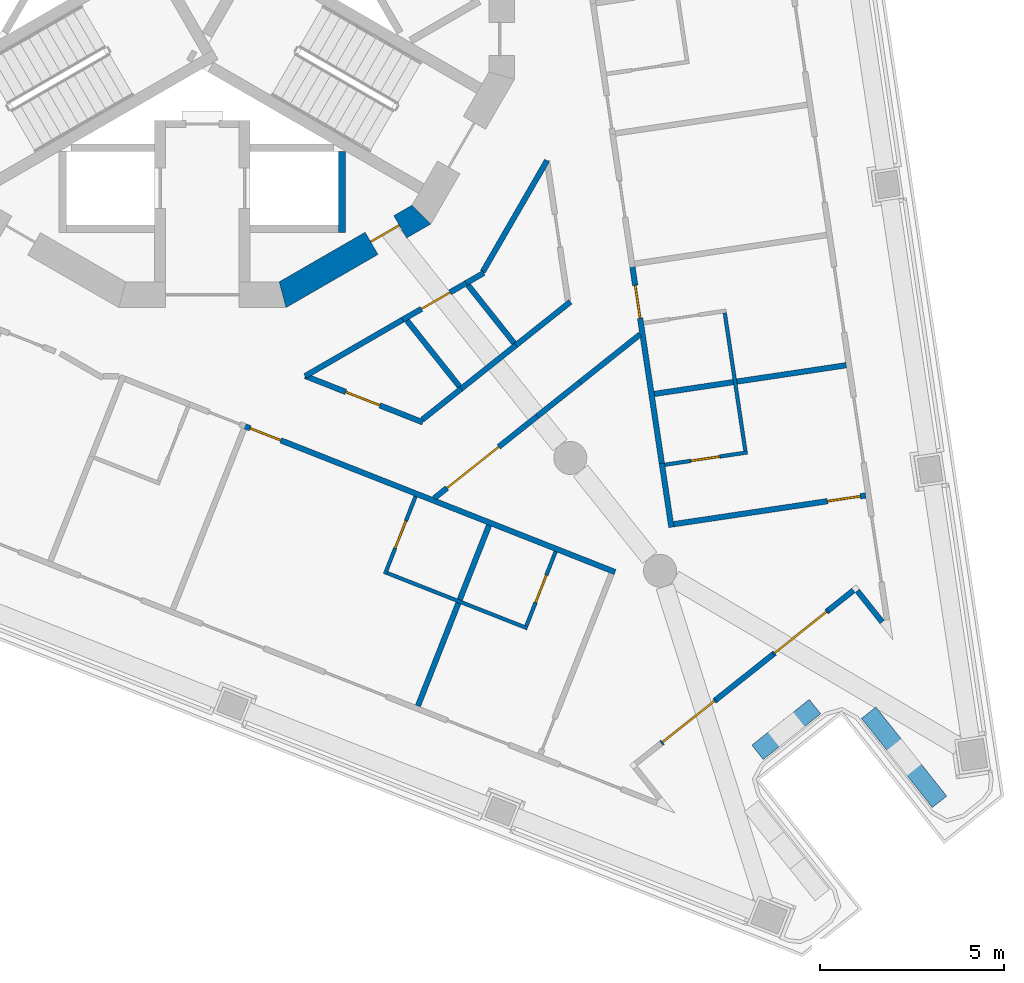
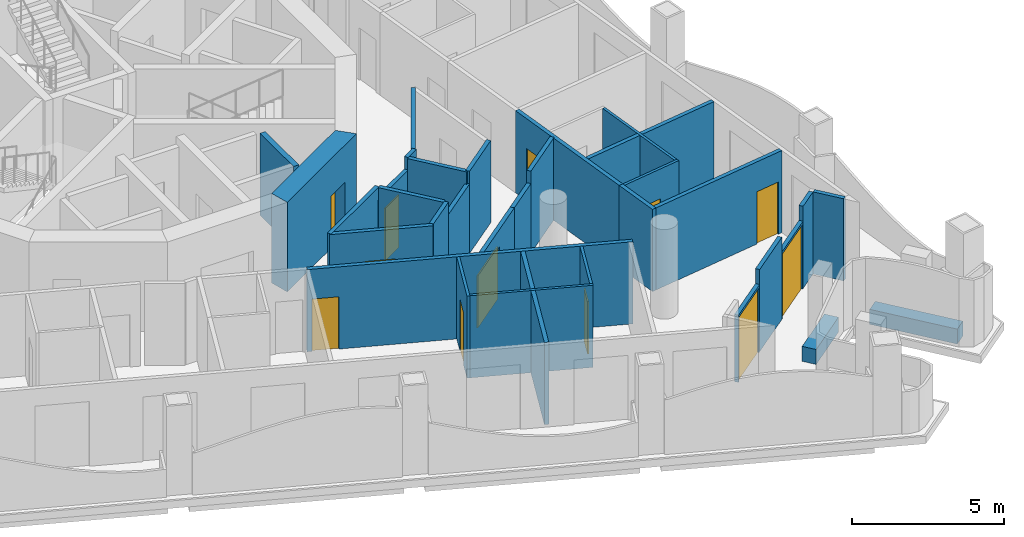
# One storey, part 5 of 17: 34 walls, 12 doors, 12 openings.
"""IFC4 building model written with IfcOpenShell, lengths in metres."""

from ifc_helpers import new_model, si_unit, direction, frame, frame_2d, origin, place, context, subcontext, project, spatial, polyline, rectangle, outline, extrude, material, layer, layer_set, type_object, element, fill, save


model = new_model("IFC4")

# Units and contexts
model_context = context("Model", 3, precision=1e-05, world=origin(), true_north=direction((0.0, 1.0)))
body_context = subcontext(model_context, "Body", "Model", "MODEL_VIEW")
ifc_project = project(units=[si_unit("LENGTHUNIT", "METRE"), si_unit("AREAUNIT", "SQUARE_METRE"), si_unit("VOLUMEUNIT", "CUBIC_METRE"), si_unit("PLANEANGLEUNIT", "RADIAN"), si_unit("MASSUNIT", "GRAM", prefix="KILO")], contexts=[model_context])

# Site, building, storey
site_placement = place(None, origin())
site = spatial("IfcSite", under=ifc_project, at=site_placement, CompositionType="ELEMENT")
building_placement = place(site_placement, origin())
building = spatial("IfcBuilding", under=site, at=building_placement, Name="Trine Commons Tower", CompositionType="ELEMENT")
storey_placement = place(building_placement, frame((0.0, 0.0, 216.0)))
storey = spatial("IfcBuildingStorey", under=building, at=storey_placement, Name="L56", CompositionType="ELEMENT", Elevation=216.0)

# Walls
ifc_material_1 = material(Name="Aluminium-framed insulated wall panel", Category="aluminium")
ifc_layer_1 = layer(ifc_material_1, 0.14990234375)
ifc_layer_set_1 = layer_set([ifc_layer_1], Name="Aluminium-framed insulated wall panel")
wall_type_1 = type_object("IfcWallType", Name="Glazed frame wall 150, EI 60", PredefinedType="SOLIDWALL", material=ifc_layer_set_1)
wall_1_placement = place(storey_placement, frame((98.603759765625, 45.320556640625, 0.0), z_axis=(0.0, 0.0, 1.0), x_axis=(-0.6225008228, 0.782619144676, 0.0)))
element("IfcWall", 1, at=wall_1_placement, inside=storey, type_object=wall_type_1, Name="Glazed frame wall R6", PredefinedType="SOLIDWALL", context=body_context, shape_type="SweptSolid", body=[
    extrude(outline(polyline([(0.1494140625, 0.074951171875), (0.1494140625, -0.074951171875), (1.235107421875, -0.074951171875), (1.235107421875, 0.074951171875), (0.1494140625, 0.074951171875)])), origin(), (0.0, 0.0, 1.0), 3.300048828125),
])
wall_2_placement = place(storey_placement, frame((97.815673828125, 46.367431640625, 0.0), z_axis=(0.0, 0.0, 1.0), x_axis=(-0.78265242488, -0.622458980037, 0.0)))
element("IfcWall", 2, at=wall_2_placement, inside=storey, type_object=wall_type_1, Name="Glazed frame wall P2.1", PredefinedType="SOLIDWALL", context=body_context, shape_type="SweptSolid", body=[
    extrude(outline(polyline([(0.110107421875, -0.074951171875), (1.0, -0.074951171875), (1.0, 0.074951171875), (0.110107421875, 0.074951171875), (0.110107421875, -0.074951171875)])), origin(), (0.0, 0.0, 1.0), 3.300048828125),
])

# Wall, opening, door
wall_3_placement = place(storey_placement, frame((97.033203125, 45.7451171875, 0.0), z_axis=(0.0, 0.0, 1.0), x_axis=(-0.782608167395, -0.622514623384, 0.0)))
wall_3 = element("IfcWall", 3, at=wall_3_placement, inside=storey, type_object=wall_type_1, Name="Glazed frame wall P2.2", PredefinedType="SOLIDWALL", context=body_context, shape_type="SweptSolid", body=[
    extrude(outline(polyline([(0.0, -0.074951171875), (1.89990234375, -0.074951171875), (1.89990234375, 0.074951171875), (0.0, 0.074951171875), (0.0, -0.074951171875)])), origin(), (0.0, 0.0, 1.0), 2.699951171875),
])
opening_1_placement = place(wall_3_placement, frame((0.050048828125, 0.0, 0.0)))
opening_1 = element("IfcOpeningElement", 4, at=opening_1_placement, cuts=wall_3, Name="Opening BD-6P2-01", PredefinedType="OPENING", context=body_context, shape_type="SweptSolid", body=[
    extrude(rectangle(XDim=1.800048828125, YDim=2.60009765625, at=frame_2d((0.89990234375, 1.300048828125))), frame((0.0, 0.0849609375, 0.0), z_axis=(0.0, -1.0, 0.0), x_axis=(1.0, 0.0, 0.0)), (0.0, 0.0, 1.0), 0.169921875),
])
ifc_material_2 = material(Name="Anodised aluminium frame with double glazing", Category="aluminium")
door_type_1 = type_object("IfcDoorType", Name="Sliding loggia door 1800x2600", OperationType="SLIDING_TO_LEFT", PredefinedType="DOOR", material=ifc_material_2)
door_1_placement = place(opening_1_placement, origin())
door_1 = element("IfcDoor", 5, at=door_1_placement, inside=storey, type_object=door_type_1, Name="Loggia door P2 1", OperationType="SLIDING_TO_LEFT", OverallHeight=2.60009765625, OverallWidth=1.800048828125, PredefinedType="DOOR", context=body_context, shape_type="SweptSolid", body=[
    extrude(rectangle(XDim=1.800048828125, YDim=2.60009765625, at=frame_2d((0.89990234375, 1.300048828125))), frame((0.0, 0.02490234375, 0.0), z_axis=(0.0, -1.0, 0.0), x_axis=(1.0, 0.0, 0.0)), (0.0, 0.0, 1.0), 0.050048828125),
])
fill(opening_1, door_1)

# Wall
wall_4_placement = place(storey_placement, frame((95.546142578125, 44.562255859375, 0.0), z_axis=(0.0, 0.0, 1.0), x_axis=(-0.782580779818, -0.622549052733, 0.0)))
element("IfcWall", 6, at=wall_4_placement, inside=storey, type_object=wall_type_1, Name="Glazed frame wall P2.3", PredefinedType="SOLIDWALL", context=body_context, shape_type="SweptSolid", body=[
    extrude(outline(polyline([(0.0, -0.074951171875), (2.0, -0.074951171875), (2.0, 0.074951171875), (0.0, 0.074951171875), (0.0, -0.074951171875)])), origin(), (0.0, 0.0, 1.0), 3.300048828125),
])

# Wall, opening, door
wall_5_placement = place(storey_placement, frame((93.98095703125, 43.317138671875, 0.0), z_axis=(0.0, 0.0, 1.0), x_axis=(-0.782670764896, -0.622435919415, 0.0)))
wall_5 = element("IfcWall", 7, at=wall_5_placement, inside=storey, type_object=wall_type_1, Name="Glazed frame wall P2.4", PredefinedType="SOLIDWALL", context=body_context, shape_type="SweptSolid", body=[
    extrude(outline(polyline([(0.0, -0.074951171875), (1.89990234375, -0.074951171875), (1.89990234375, 0.074951171875), (0.0, 0.074951171875), (0.0, -0.074951171875)])), origin(), (0.0, 0.0, 1.0), 2.699951171875),
])
opening_2_placement = place(wall_5_placement, frame((0.050048828125, 0.0, 0.0)))
opening_2 = element("IfcOpeningElement", 8, at=opening_2_placement, cuts=wall_5, Name="Opening BD-6P2-02", PredefinedType="OPENING", context=body_context, shape_type="SweptSolid", body=[
    extrude(rectangle(XDim=1.800048828125, YDim=2.60009765625, at=frame_2d((0.89990234375, 1.300048828125))), frame((0.0, 0.0849609375, 0.0), z_axis=(0.0, -1.0, 0.0), x_axis=(1.0, 0.0, 0.0)), (0.0, 0.0, 1.0), 0.169921875),
])
door_2_placement = place(opening_2_placement, origin())
door_2 = element("IfcDoor", 9, at=door_2_placement, inside=storey, type_object=door_type_1, Name="Loggia door P2 2", OperationType="SLIDING_TO_LEFT", OverallHeight=2.60009765625, OverallWidth=1.800048828125, PredefinedType="DOOR", context=body_context, shape_type="SweptSolid", body=[
    extrude(rectangle(XDim=1.800048828125, YDim=2.60009765625, at=frame_2d((0.89990234375, 1.300048828125))), frame((0.0, 0.02490234375, 0.0), z_axis=(0.0, -1.0, 0.0), x_axis=(1.0, 0.0, 0.0)), (0.0, 0.0, 1.0), 0.050048828125),
])
fill(opening_2, door_2)

# Walls
ifc_material_3 = material(Name="Planter trough, precast concrete C40/50", Category="concrete")
ifc_layer_2 = layer(ifc_material_3, 0.5)
ifc_layer_set_2 = layer_set([ifc_layer_2], Name="Planter trough, precast concrete C40/50")
wall_type_2 = type_object("IfcWallType", Name="Planter trough 500x600", PredefinedType="PARAPET", material=ifc_layer_set_2)
wall_6_placement = place(storey_placement, frame((100.0732421875, 40.54150390625, 0.0), z_axis=(0.0, 0.0, 1.0), x_axis=(-0.622502736232, 0.782617622715, 0.0)))
element("IfcWall", 10, at=wall_6_placement, inside=storey, type_object=wall_type_2, Name="Planter 7", PredefinedType="PARAPET", context=body_context, shape_type="SweptSolid", body=[
    extrude(rectangle(XDim=3.099853515625, YDim=0.5, at=frame_2d((1.5498046875, 0.0))), origin(), (0.0, 0.0, 1.0), 0.60009765625),
])
wall_7_placement = place(storey_placement, frame((96.68212890625, 43.134033203125, 0.0), z_axis=(0.0, 0.0, 1.0), x_axis=(-0.782580779818, -0.622549052733, 0.0)))
element("IfcWall", 11, at=wall_7_placement, inside=storey, type_object=wall_type_2, Name="Planter 8", PredefinedType="PARAPET", context=body_context, shape_type="SweptSolid", body=[
    extrude(rectangle(XDim=2.0, YDim=0.5, at=frame_2d((1.0, 0.0))), origin(), (0.0, 0.0, 1.0), 0.60009765625),
])

# Wall, opening, door
ifc_material_4 = material(Name="Concrete C60/75", Category="concrete")
ifc_layer_3 = layer(ifc_material_4, 0.699951171875)
ifc_layer_set_3 = layer_set([ifc_layer_3], Name="Concrete C60/75")
wall_type_3 = type_object("IfcWallType", Name="RC shear wall 700 mm, C60/75", PredefinedType="SHEAR", material=ifc_layer_set_3)
wall_8_placement = place(storey_placement, frame((82.1025390625, 54.302978515625, 0.0), z_axis=(0.0, 0.0, 1.0), x_axis=(0.866034756103, 0.499983800959, 0.0)))
wall_8 = element("IfcWall", 12, at=wall_8_placement, inside=storey, type_object=wall_type_3, Name="Core wall CWF-11 L56", PredefinedType="SHEAR", context=body_context, shape_type="SweptSolid", body=[
    extrude(outline(polyline([(0.0, -0.35009765625), (4.55517578125, -0.35009765625), (4.36767578125, 0.35009765625), (0.1875, 0.35009765625), (0.0, -0.35009765625)])), origin(), (0.0, 0.0, 1.0), 3.60009765625),
])
opening_3_placement = place(wall_8_placement, frame((2.891845703125, 0.0, 0.0)))
opening_3 = element("IfcOpeningElement", 13, at=opening_3_placement, cuts=wall_8, Name="Opening K16.16", PredefinedType="OPENING", context=body_context, shape_type="SweptSolid", body=[
    extrude(rectangle(XDim=0.89990234375, YDim=2.10009765625, at=frame_2d((0.449951171875, 1.050048828125))), frame((0.0, 0.35986328125, 0.0), z_axis=(0.0, -1.0, 0.0), x_axis=(1.0, 0.0, 0.0)), (0.0, 0.0, 1.0), 0.719970703125),
])
ifc_material_5 = material(Name="Steel door leaf, fire-rated", Category="steel")
door_type_2 = type_object("IfcDoorType", Name="Core room door, single leaf 900 x 2100, FD30S", OperationType="SINGLE_SWING_LEFT", PredefinedType="DOOR", material=ifc_material_5)
door_3_placement = place(opening_3_placement, origin())
door_3 = element("IfcDoor", 14, at=door_3_placement, inside=storey, type_object=door_type_2, Name="Door to Core WC L56", OperationType="SINGLE_SWING_RIGHT", OverallHeight=2.10009765625, OverallWidth=0.89990234375, PredefinedType="DOOR", context=body_context, shape_type="SweptSolid", body=[
    extrude(rectangle(XDim=0.89990234375, YDim=2.10009765625, at=frame_2d((0.449951171875, 1.050048828125))), frame((0.0, 0.0751953125, 0.0), z_axis=(0.0, -1.0, 0.0), x_axis=(1.0, 0.0, 0.0)), (0.0, 0.0, 1.0), 0.050048828125),
])
fill(opening_3, door_3)

# Wall
ifc_material_6 = material(Name="Fire-rated gypsum shaft wall system")
ifc_layer_4 = layer(ifc_material_6, 0.199951171875)
ifc_layer_set_4 = layer_set([ifc_layer_4], Name="Fire-rated gypsum shaft wall system")
wall_type_4 = type_object("IfcWallType", Name="Shaft wall 200 mm, EI 120", PredefinedType="PARTITIONING", material=ifc_layer_set_4)
wall_9_placement = place(storey_placement, frame((83.800048828125, 58.257080078125, 0.0), z_axis=(0.0, 0.0, 1.0), x_axis=(0.0, -1.0, 0.0)))
element("IfcWall", 15, at=wall_9_placement, inside=storey, type_object=wall_type_4, Name="Shaft wall L56", PredefinedType="PARTITIONING", context=body_context, shape_type="SweptSolid", body=[
    extrude(rectangle(XDim=2.20703125, YDim=0.199951171875, at=frame_2d((1.103515625, 0.0))), origin(), (0.0, 0.0, 1.0), 3.300048828125),
])

# Wall, opening, door
ifc_material_7 = material(Name="Gypsum plasterboard on steel stud", Category="steel")
ifc_layer_5 = layer(ifc_material_7, 0.14990234375)
ifc_layer_set_5 = layer_set([ifc_layer_5], Name="Gypsum plasterboard on steel stud")
wall_type_5 = type_object("IfcWallType", Name="Unit and corridor wall 150 mm, EI 60", PredefinedType="PARTITIONING", material=ifc_layer_set_5)
wall_10_placement = place(storey_placement, frame((81.156982421875, 50.77001953125, 0.0), z_axis=(0.0, 0.0, 1.0), x_axis=(0.930383245672, -0.366588347023, 0.0)))
wall_10 = element("IfcWall", 16, at=wall_10_placement, inside=storey, type_object=wall_type_5, Name="Partition 071", PredefinedType="PARTITIONING", context=body_context, shape_type="SweptSolid", body=[
    extrude(rectangle(XDim=10.836181640625, YDim=0.14990234375, at=frame_2d((5.41796875, 0.0))), origin(), (0.0, 0.0, 1.0), 3.300048828125),
])
opening_4_placement = place(wall_10_placement, frame((0.153564453125, 0.0, 0.0)))
opening_4 = element("IfcOpeningElement", 17, at=opening_4_placement, cuts=wall_10, Name="Opening D-6B22", PredefinedType="OPENING", context=body_context, shape_type="SweptSolid", body=[
    extrude(rectangle(XDim=0.89990234375, YDim=2.10009765625, at=frame_2d((0.449951171875, 1.050048828125))), frame((0.0, 0.0849609375, 0.0), z_axis=(0.0, -1.0, 0.0), x_axis=(1.0, 0.0, 0.0)), (0.0, 0.0, 1.0), 0.169921875),
])
ifc_material_8 = material(Name="Timber fire door set", Category="wood")
door_type_3 = type_object("IfcDoorType", Name="Bedroom door 900 x 2100, FD30S", OperationType="NOTDEFINED", PredefinedType="DOOR", material=ifc_material_8)
door_4_placement = place(opening_4_placement, frame((0.89990234375, 0.0, 0.0), z_axis=(0.0, 0.0, 1.0), x_axis=(-1.0, 0.0, 0.0)))
door_4 = element("IfcDoor", 18, at=door_4_placement, inside=storey, type_object=door_type_3, Name="Door D-6B22", OperationType="SINGLE_SWING_RIGHT", OverallHeight=2.10009765625, OverallWidth=0.89990234375, PredefinedType="DOOR", context=body_context, shape_type="SweptSolid", body=[
    extrude(rectangle(XDim=0.89990234375, YDim=2.10009765625, at=frame_2d((0.449951171875, 1.050048828125))), frame((0.0, 0.02490234375, 0.0), z_axis=(0.0, -1.0, 0.0), x_axis=(1.0, 0.0, 0.0)), (0.0, 0.0, 1.0), 0.050048828125),
])
fill(opening_4, door_4)

# Wall
wall_11_placement = place(storey_placement, frame((82.798095703125, 52.135009765625, 0.0), z_axis=(0.0, 0.0, 1.0), x_axis=(0.865882230694, 0.500247901113, 0.0)))
element("IfcWall", 19, at=wall_11_placement, inside=storey, type_object=wall_type_5, Name="Partition 078", PredefinedType="PARTITIONING", context=body_context, shape_type="SweptSolid", body=[
    extrude(rectangle(XDim=3.150390625, YDim=0.14990234375, at=frame_2d((1.5751953125, 0.0))), origin(), (0.0, 0.0, 1.0), 3.300048828125),
])

# Wall, opening, door
wall_12_placement = place(storey_placement, frame((82.801025390625, 52.136962890625, 0.0), z_axis=(0.0, 0.0, 1.0), x_axis=(0.930387129981, -0.366578488685, 0.0)))
wall_12 = element("IfcWall", 20, at=wall_12_placement, inside=storey, type_object=wall_type_5, Name="Partition 079", PredefinedType="PARTITIONING", context=body_context, shape_type="SweptSolid", body=[
    extrude(rectangle(XDim=3.441162109375, YDim=0.14990234375, at=frame_2d((1.720703125, 0.0))), origin(), (0.0, 0.0, 1.0), 3.300048828125),
])
opening_5_placement = place(wall_12_placement, frame((1.18310546875, 0.0, 0.0)))
opening_5 = element("IfcOpeningElement", 21, at=opening_5_placement, cuts=wall_12, Name="Opening D-6B32", PredefinedType="OPENING", context=body_context, shape_type="SweptSolid", body=[
    extrude(rectangle(XDim=1.0, YDim=2.10009765625, at=frame_2d((0.5, 1.050048828125))), frame((0.0, 0.0849609375, 0.0), z_axis=(0.0, -1.0, 0.0), x_axis=(1.0, 0.0, 0.0)), (0.0, 0.0, 1.0), 0.169921875),
])
ifc_material_9 = material(Name="Painted timber", Category="wood")
door_type_4 = type_object("IfcDoorType", Name="Toilet door 1000 x 2100, NOT RATED", OperationType="NOTDEFINED", PredefinedType="DOOR", material=ifc_material_9)
door_5_placement = place(opening_5_placement, origin())
door_5 = element("IfcDoor", 22, at=door_5_placement, inside=storey, type_object=door_type_4, Name="Door D-6B32", OperationType="SINGLE_SWING_LEFT", OverallHeight=2.10009765625, OverallWidth=1.0, PredefinedType="DOOR", context=body_context, shape_type="SweptSolid", body=[
    extrude(rectangle(XDim=1.0, YDim=2.10009765625, at=frame_2d((0.5, 1.050048828125))), frame((0.0, 0.02490234375, 0.0), z_axis=(0.0, -1.0, 0.0), x_axis=(1.0, 0.0, 0.0)), (0.0, 0.0, 1.0), 0.050048828125),
])
fill(opening_5, door_5)

wall_13_placement = place(storey_placement, frame((85.455078125, 53.66943359375, 0.0), z_axis=(0.0, 0.0, 1.0), x_axis=(0.866036909293, 0.499980071345, 0.0)))
wall_13 = element("IfcWall", 23, at=wall_13_placement, inside=storey, type_object=wall_type_5, Name="Partition 093", PredefinedType="PARTITIONING", context=body_context, shape_type="SweptSolid", body=[
    extrude(rectangle(XDim=2.078125, YDim=0.14990234375, at=frame_2d((1.0390625, 0.0))), origin(), (0.0, 0.0, 1.0), 2.800048828125),
])
opening_6_placement = place(wall_13_placement, frame((0.589111328125, 0.0, 0.0)))
opening_6 = element("IfcOpeningElement", 24, at=opening_6_placement, cuts=wall_13, Name="Opening D-6B33", PredefinedType="OPENING", context=body_context, shape_type="SweptSolid", body=[
    extrude(rectangle(XDim=0.89990234375, YDim=2.10009765625, at=frame_2d((0.449951171875, 1.050048828125))), frame((0.0, 0.0849609375, 0.0), z_axis=(0.0, -1.0, 0.0), x_axis=(1.0, 0.0, 0.0)), (0.0, 0.0, 1.0), 0.169921875),
])
door_type_5 = type_object("IfcDoorType", Name="Service door 900 x 2100, FD30S", OperationType="NOTDEFINED", PredefinedType="DOOR", material=ifc_material_8)
door_6_placement = place(opening_6_placement, frame((0.89990234375, 0.0, 0.0), z_axis=(0.0, 0.0, 1.0), x_axis=(-1.0, 0.0, 0.0)))
door_6 = element("IfcDoor", 25, at=door_6_placement, inside=storey, type_object=door_type_5, Name="Door D-6B33", OperationType="SINGLE_SWING_RIGHT", OverallHeight=2.10009765625, OverallWidth=0.89990234375, PredefinedType="DOOR", context=body_context, shape_type="SweptSolid", body=[
    extrude(rectangle(XDim=0.89990234375, YDim=2.10009765625, at=frame_2d((0.449951171875, 1.050048828125))), frame((0.0, 0.02490234375, 0.0), z_axis=(0.0, -1.0, 0.0), x_axis=(1.0, 0.0, 0.0)), (0.0, 0.0, 1.0), 0.050048828125),
])
fill(opening_6, door_6)

# Walls
wall_14_placement = place(storey_placement, frame((85.569580078125, 53.650390625, 0.0), z_axis=(0.0, 0.0, 1.0), x_axis=(0.622570822847, -0.78256346103, 0.0)))
element("IfcWall", 26, at=wall_14_placement, inside=storey, type_object=wall_type_5, Name="Partition 094", PredefinedType="PARTITIONING", context=body_context, shape_type="SweptSolid", body=[
    extrude(rectangle(XDim=2.301025390625, YDim=0.14990234375, at=frame_2d((1.150390625, 0.0))), origin(), (0.0, 0.0, 1.0), 3.300048828125),
])
wall_15_placement = place(storey_placement, frame((85.86865234375, 43.152099609375, 0.0), z_axis=(0.0, 0.0, 1.0), x_axis=(0.366408201445, 0.930454206242, 0.0)))
element("IfcWall", 27, at=wall_15_placement, inside=storey, type_object=wall_type_5, Name="Partition 095", PredefinedType="PARTITIONING", context=body_context, shape_type="SweptSolid", body=[
    extrude(rectangle(XDim=5.285888671875, YDim=0.14990234375, at=frame_2d((2.64306640625, 0.0))), origin(), (0.0, 0.0, 1.0), 3.300048828125),
])
wall_16_placement = place(storey_placement, frame((85.99169921875, 50.94970703125, 0.0), z_axis=(0.0, 0.0, 1.0), x_axis=(0.7826589169, 0.622450817171, 0.0)))
element("IfcWall", 28, at=wall_16_placement, inside=storey, type_object=wall_type_5, Name="Partition 096", PredefinedType="PARTITIONING", context=body_context, shape_type="SweptSolid", body=[
    extrude(rectangle(XDim=1.354736328125, YDim=0.14990234375, at=frame_2d((0.67724609375, 0.0))), origin(), (0.0, 0.0, 1.0), 3.300048828125),
])

# Wall, opening, door
wall_17_placement = place(storey_placement, frame((86.311767578125, 48.80859375, 0.0), z_axis=(0.0, 0.0, 1.0), x_axis=(0.782487894098, 0.622665797672, 0.0)))
wall_17 = element("IfcWall", 29, at=wall_17_placement, inside=storey, type_object=wall_type_5, Name="Partition 097", PredefinedType="PARTITIONING", context=body_context, shape_type="SweptSolid", body=[
    extrude(rectangle(XDim=3.583740234375, YDim=0.14990234375, at=frame_2d((1.7919921875, 0.0))), origin(), (0.0, 0.0, 1.0), 2.800048828125),
])
opening_7_placement = place(wall_17_placement, frame((0.44677734375, 0.0, 0.0)))
opening_7 = element("IfcOpeningElement", 30, at=opening_7_placement, cuts=wall_17, Name="Opening D-6B02", PredefinedType="OPENING", context=body_context, shape_type="SweptSolid", body=[
    extrude(rectangle(XDim=1.800048828125, YDim=2.10009765625, at=frame_2d((0.89990234375, 1.050048828125))), frame((0.0, 0.0849609375, 0.0), z_axis=(0.0, -1.0, 0.0), x_axis=(1.0, 0.0, 0.0)), (0.0, 0.0, 1.0), 0.169921875),
])
door_type_6 = type_object("IfcDoorType", Name="Cluster entrance door 1800 x 2100, double leaf, FD30S", OperationType="DOUBLE_DOOR_DOUBLE_SWING", PredefinedType="DOOR", material=ifc_material_8)
door_7_placement = place(opening_7_placement, frame((1.800048828125, 0.0, 0.0), z_axis=(0.0, 0.0, 1.0), x_axis=(-1.0, 0.0, 0.0)))
door_7 = element("IfcDoor", 31, at=door_7_placement, inside=storey, type_object=door_type_6, Name="Door D-6B02", OperationType="DOUBLE_DOOR_DOUBLE_SWING", OverallHeight=2.10009765625, OverallWidth=1.800048828125, PredefinedType="DOOR", context=body_context, shape_type="SweptSolid", body=[
    extrude(rectangle(XDim=1.800048828125, YDim=2.10009765625, at=frame_2d((0.89990234375, 1.050048828125))), frame((0.0, 0.02490234375, 0.0), z_axis=(0.0, -1.0, 0.0), x_axis=(1.0, 0.0, 0.0)), (0.0, 0.0, 1.0), 0.050048828125),
])
fill(opening_7, door_7)

# Walls
wall_18_placement = place(storey_placement, frame((87.0458984375, 51.7890625, 0.0), z_axis=(0.0, 0.0, 1.0), x_axis=(0.782788084562, 0.622288369382, 0.0)))
element("IfcWall", 32, at=wall_18_placement, inside=storey, type_object=wall_type_5, Name="Partition 099", PredefinedType="PARTITIONING", context=body_context, shape_type="SweptSolid", body=[
    extrude(rectangle(XDim=1.907470703125, YDim=0.14990234375, at=frame_2d((0.95361328125, 0.0))), origin(), (0.0, 0.0, 1.0), 2.800048828125),
])
wall_19_placement = place(storey_placement, frame((87.18408203125, 54.6669921875, 0.0), z_axis=(0.0, 0.0, 1.0), x_axis=(0.86530467385, 0.501246268228, 0.0)))
element("IfcWall", 33, at=wall_19_placement, inside=storey, type_object=wall_type_5, Name="Partition 101", PredefinedType="PARTITIONING", context=body_context, shape_type="SweptSolid", body=[
    extrude(rectangle(XDim=0.5498046875, YDim=0.14990234375, at=frame_2d((0.27490234375, 0.0))), origin(), (0.0, 0.0, 1.0), 3.300048828125),
])
wall_20_placement = place(storey_placement, frame((87.233642578125, 54.6103515625, 0.0), z_axis=(0.0, 0.0, 1.0), x_axis=(0.622728304136, -0.782438150417, 0.0)))
element("IfcWall", 34, at=wall_20_placement, inside=storey, type_object=wall_type_5, Name="Partition 102", PredefinedType="PARTITIONING", context=body_context, shape_type="SweptSolid", body=[
    extrude(rectangle(XDim=2.09130859375, YDim=0.14990234375, at=frame_2d((1.045654296875, 0.0))), origin(), (0.0, 0.0, 1.0), 3.300048828125),
])
wall_21_placement = place(storey_placement, frame((87.632568359375, 54.969970703125, 0.0), z_axis=(0.0, 0.0, 1.0), x_axis=(0.50005009493, 0.865996479531, 0.0)))
element("IfcWall", 35, at=wall_21_placement, inside=storey, type_object=wall_type_5, Name="Partition 103", PredefinedType="PARTITIONING", context=body_context, shape_type="SweptSolid", body=[
    extrude(rectangle(XDim=3.504638671875, YDim=0.14990234375, at=frame_2d((1.75244140625, 0.0))), origin(), (0.0, 0.0, 1.0), 3.300048828125),
])
wall_22_placement = place(storey_placement, frame((88.532958984375, 52.971923828125, 0.0), z_axis=(0.0, 0.0, 1.0), x_axis=(0.78260389247, 0.622519997663, 0.0)))
element("IfcWall", 36, at=wall_22_placement, inside=storey, type_object=wall_type_5, Name="Partition 110", PredefinedType="PARTITIONING", context=body_context, shape_type="SweptSolid", body=[
    extrude(rectangle(XDim=1.90478515625, YDim=0.14990234375, at=frame_2d((0.952392578125, 0.0))), origin(), (0.0, 0.0, 1.0), 3.300048828125),
])
wall_23_placement = place(storey_placement, frame((89.115966796875, 51.0400390625, 0.0), z_axis=(0.0, 0.0, 1.0), x_axis=(0.7828906441, 0.622159336007, 0.0)))
element("IfcWall", 37, at=wall_23_placement, inside=storey, type_object=wall_type_5, Name="Partition 112", PredefinedType="PARTITIONING", context=body_context, shape_type="SweptSolid", body=[
    extrude(rectangle(XDim=1.4931640625, YDim=0.14990234375, at=frame_2d((0.74658203125, 0.0))), origin(), (0.0, 0.0, 1.0), 2.800048828125),
])
wall_24_placement = place(storey_placement, frame((90.284912109375, 51.968994140625, 0.0), z_axis=(0.0, 0.0, 1.0), x_axis=(0.782529911794, 0.622612991471, 0.0)))
element("IfcWall", 38, at=wall_24_placement, inside=storey, type_object=wall_type_5, Name="Partition 123", PredefinedType="PARTITIONING", context=body_context, shape_type="SweptSolid", body=[
    extrude(rectangle(XDim=2.090087890625, YDim=0.14990234375, at=frame_2d((1.044921875, 0.0))), origin(), (0.0, 0.0, 1.0), 3.300048828125),
])

# Wall, opening, door
wall_25_placement = place(storey_placement, frame((91.698974609375, 55.18798828125, 0.0), z_axis=(0.0, 0.0, 1.0), x_axis=(0.147922673627, -0.988998929538, 0.0)))
wall_25 = element("IfcWall", 39, at=wall_25_placement, inside=storey, type_object=wall_type_5, Name="Partition 133", PredefinedType="PARTITIONING", context=body_context, shape_type="SweptSolid", body=[
    extrude(rectangle(XDim=5.5439453125, YDim=0.14990234375, at=frame_2d((2.77197265625, 0.0))), origin(), (0.0, 0.0, 1.0), 3.300048828125),
])
opening_8_placement = place(wall_25_placement, frame((0.590087890625, 0.0, 0.0)))
opening_8 = element("IfcOpeningElement", 40, at=opening_8_placement, cuts=wall_25, Name="Opening D-6B19", PredefinedType="OPENING", context=body_context, shape_type="SweptSolid", body=[
    extrude(rectangle(XDim=0.89990234375, YDim=2.10009765625, at=frame_2d((0.449951171875, 1.050048828125))), frame((0.0, 0.0849609375, 0.0), z_axis=(0.0, -1.0, 0.0), x_axis=(1.0, 0.0, 0.0)), (0.0, 0.0, 1.0), 0.169921875),
])
door_8_placement = place(opening_8_placement, origin())
door_8 = element("IfcDoor", 41, at=door_8_placement, inside=storey, type_object=door_type_3, Name="Door D-6B19", OperationType="SINGLE_SWING_LEFT", OverallHeight=2.10009765625, OverallWidth=0.89990234375, PredefinedType="DOOR", context=body_context, shape_type="SweptSolid", body=[
    extrude(rectangle(XDim=0.89990234375, YDim=2.10009765625, at=frame_2d((0.449951171875, 1.050048828125))), frame((0.0, 0.02490234375, 0.0), z_axis=(0.0, -1.0, 0.0), x_axis=(1.0, 0.0, 0.0)), (0.0, 0.0, 1.0), 0.050048828125),
])
fill(opening_8, door_8)

# Walls
wall_26_placement = place(storey_placement, frame((92.30419921875, 51.649169921875, 0.0), z_axis=(0.0, 0.0, 1.0), x_axis=(0.989097136126, 0.147264575874, 0.0)))
element("IfcWall", 42, at=wall_26_placement, inside=storey, type_object=wall_type_5, Name="Partition 136", PredefinedType="PARTITIONING", context=body_context, shape_type="SweptSolid", body=[
    extrude(rectangle(XDim=2.175048828125, YDim=0.14990234375, at=frame_2d((1.08740234375, 0.0))), origin(), (0.0, 0.0, 1.0), 3.300048828125),
])
wall_27_placement = place(storey_placement, frame((92.510498046875, 49.762451171875, 0.0), z_axis=(0.0, 0.0, 1.0), x_axis=(0.147596346484, -0.989047682624, 0.0)))
element("IfcWall", 43, at=wall_27_placement, inside=storey, type_object=wall_type_5, Name="Partition 137", PredefinedType="PARTITIONING", context=body_context, shape_type="SweptSolid", body=[
    extrude(rectangle(XDim=1.764892578125, YDim=0.14990234375, at=frame_2d((0.88232421875, 0.0))), origin(), (0.0, 0.0, 1.0), 3.300048828125),
])

# Wall, opening, door
wall_28_placement = place(storey_placement, frame((92.834228515625, 48.10205078125, 0.0), z_axis=(0.0, 0.0, 1.0), x_axis=(0.989020900083, 0.147775705715, 0.0)))
wall_28 = element("IfcWall", 44, at=wall_28_placement, inside=storey, type_object=wall_type_5, Name="Partition 140", PredefinedType="PARTITIONING", context=body_context, shape_type="SweptSolid", body=[
    extrude(rectangle(XDim=5.28515625, YDim=0.14990234375, at=frame_2d((2.642578125, 0.0))), origin(), (0.0, 0.0, 1.0), 3.300048828125),
])
opening_9_placement = place(wall_28_placement, frame((4.2353515625, 0.0, 0.0)))
opening_9 = element("IfcOpeningElement", 45, at=opening_9_placement, cuts=wall_28, Name="Opening D-6B20", PredefinedType="OPENING", context=body_context, shape_type="SweptSolid", body=[
    extrude(rectangle(XDim=0.89990234375, YDim=2.10009765625, at=frame_2d((0.449951171875, 1.050048828125))), frame((0.0, 0.0849609375, 0.0), z_axis=(0.0, -1.0, 0.0), x_axis=(1.0, 0.0, 0.0)), (0.0, 0.0, 1.0), 0.169921875),
])
door_9_placement = place(opening_9_placement, origin())
door_9 = element("IfcDoor", 46, at=door_9_placement, inside=storey, type_object=door_type_3, Name="Door D-6B20", OperationType="SINGLE_SWING_RIGHT", OverallHeight=2.10009765625, OverallWidth=0.89990234375, PredefinedType="DOOR", context=body_context, shape_type="SweptSolid", body=[
    extrude(rectangle(XDim=0.89990234375, YDim=2.10009765625, at=frame_2d((0.449951171875, 1.050048828125))), frame((0.0, 0.02490234375, 0.0), z_axis=(0.0, -1.0, 0.0), x_axis=(1.0, 0.0, 0.0)), (0.0, 0.0, 1.0), 0.050048828125),
])
fill(opening_9, door_9)

# Wall
wall_29_placement = place(storey_placement, frame((94.554443359375, 51.984375, 0.0), z_axis=(0.0, 0.0, 1.0), x_axis=(0.988973205447, 0.148094560698, 0.0)))
element("IfcWall", 47, at=wall_29_placement, inside=storey, type_object=wall_type_5, Name="Partition 143", PredefinedType="PARTITIONING", context=body_context, shape_type="SweptSolid", body=[
    extrude(rectangle(XDim=3.01025390625, YDim=0.14990234375, at=frame_2d((1.505126953125, 0.0))), origin(), (0.0, 0.0, 1.0), 3.300048828125),
])

# Wall, opening, door
ifc_layer_6 = layer(ifc_material_7, 0.10009765625)
ifc_layer_set_6 = layer_set([ifc_layer_6], Name="Gypsum plasterboard on steel stud")
wall_type_6 = type_object("IfcWallType", Name="Unit partition 100 mm, no rating", PredefinedType="PARTITIONING", material=ifc_layer_set_6)
wall_30_placement = place(storey_placement, frame((84.9716796875, 46.741455078125, 0.0), z_axis=(0.0, 0.0, 1.0), x_axis=(0.366482291334, 0.930425026608, 0.0)))
wall_30 = element("IfcWall", 48, at=wall_30_placement, inside=storey, type_object=wall_type_6, Name="Partition 091", PredefinedType="PARTITIONING", context=body_context, shape_type="SweptSolid", body=[
    extrude(rectangle(XDim=2.27490234375, YDim=0.10009765625, at=frame_2d((1.137451171875, 0.0))), origin(), (0.0, 0.0, 1.0), 3.300048828125),
])
opening_10_placement = place(wall_30_placement, frame((0.762451171875, 0.0, 0.0)))
opening_10 = element("IfcOpeningElement", 49, at=opening_10_placement, cuts=wall_30, Name="Opening D-6B51", PredefinedType="OPENING", context=body_context, shape_type="SweptSolid", body=[
    extrude(rectangle(XDim=0.800048828125, YDim=2.10009765625, at=frame_2d((0.39990234375, 1.050048828125))), frame((0.0, 0.06005859375, 0.0), z_axis=(0.0, -1.0, 0.0), x_axis=(1.0, 0.0, 0.0)), (0.0, 0.0, 1.0), 0.1201171875),
])
door_type_7 = type_object("IfcDoorType", Name="Internal door 800 x 2100, NOT RATED", OperationType="NOTDEFINED", PredefinedType="DOOR", material=ifc_material_9)
door_10_placement = place(opening_10_placement, origin())
door_10 = element("IfcDoor", 50, at=door_10_placement, inside=storey, type_object=door_type_7, Name="Door D-6B51", OperationType="SINGLE_SWING_RIGHT", OverallHeight=2.10009765625, OverallWidth=0.800048828125, PredefinedType="DOOR", context=body_context, shape_type="SweptSolid", body=[
    extrude(rectangle(XDim=0.800048828125, YDim=2.10009765625, at=frame_2d((0.39990234375, 1.050048828125))), frame((0.0, 0.02490234375, 0.0), z_axis=(0.0, -1.0, 0.0), x_axis=(1.0, 0.0, 0.0)), (0.0, 0.0, 1.0), 0.050048828125),
])
fill(opening_10, door_10)

# Wall
wall_31_placement = place(storey_placement, frame((85.03662109375, 46.769775390625, 0.0), z_axis=(0.0, 0.0, 1.0), x_axis=(0.930349915973, -0.366672924891, 0.0)))
element("IfcWall", 51, at=wall_31_placement, inside=storey, type_object=wall_type_6, Name="Partition 092", PredefinedType="PARTITIONING", context=body_context, shape_type="SweptSolid", body=[
    extrude(rectangle(XDim=4.099609375, YDim=0.10009765625, at=frame_2d((2.0498046875, 0.0))), origin(), (0.0, 0.0, 1.0), 3.300048828125),
])

# Wall, opening, door
wall_32_placement = place(storey_placement, frame((88.822265625, 45.33154296875, 0.0), z_axis=(0.0, 0.0, 1.0), x_axis=(0.366489184141, 0.930422311592, 0.0)))
wall_32 = element("IfcWall", 52, at=wall_32_placement, inside=storey, type_object=wall_type_6, Name="Partition 111", PredefinedType="PARTITIONING", context=body_context, shape_type="SweptSolid", body=[
    extrude(rectangle(XDim=2.175048828125, YDim=0.10009765625, at=frame_2d((1.08740234375, 0.0))), origin(), (0.0, 0.0, 1.0), 3.300048828125),
])
opening_11_placement = place(wall_32_placement, frame((0.6875, 0.0, 0.0)))
opening_11 = element("IfcOpeningElement", 53, at=opening_11_placement, cuts=wall_32, Name="Opening D-6B50", PredefinedType="OPENING", context=body_context, shape_type="SweptSolid", body=[
    extrude(rectangle(XDim=0.800048828125, YDim=2.10009765625, at=frame_2d((0.39990234375, 1.050048828125))), frame((0.0, 0.06005859375, 0.0), z_axis=(0.0, -1.0, 0.0), x_axis=(1.0, 0.0, 0.0)), (0.0, 0.0, 1.0), 0.1201171875),
])
door_11_placement = place(opening_11_placement, frame((0.800048828125, 0.0, 0.0), z_axis=(0.0, 0.0, 1.0), x_axis=(-1.0, 0.0, 0.0)))
door_11 = element("IfcDoor", 54, at=door_11_placement, inside=storey, type_object=door_type_7, Name="Door D-6B50", OperationType="SINGLE_SWING_LEFT", OverallHeight=2.10009765625, OverallWidth=0.800048828125, PredefinedType="DOOR", context=body_context, shape_type="SweptSolid", body=[
    extrude(rectangle(XDim=0.800048828125, YDim=2.10009765625, at=frame_2d((0.39990234375, 1.050048828125))), frame((0.0, 0.02490234375, 0.0), z_axis=(0.0, -1.0, 0.0), x_axis=(1.0, 0.0, 0.0)), (0.0, 0.0, 1.0), 0.050048828125),
])
fill(opening_11, door_11)

wall_33_placement = place(storey_placement, frame((92.59326171875, 49.72021484375, 0.0), z_axis=(0.0, 0.0, 1.0), x_axis=(0.989014169634, 0.147820743687, 0.0)))
wall_33 = element("IfcWall", 55, at=wall_33_placement, inside=storey, type_object=wall_type_6, Name="Partition 138", PredefinedType="PARTITIONING", context=body_context, shape_type="SweptSolid", body=[
    extrude(rectangle(XDim=2.274169921875, YDim=0.10009765625, at=frame_2d((1.13720703125, 0.0))), origin(), (0.0, 0.0, 1.0), 3.300048828125),
])
opening_12_placement = place(wall_33_placement, frame((0.712158203125, 0.0, 0.0)))
opening_12 = element("IfcOpeningElement", 56, at=opening_12_placement, cuts=wall_33, Name="Opening D-6B49", PredefinedType="OPENING", context=body_context, shape_type="SweptSolid", body=[
    extrude(rectangle(XDim=0.800048828125, YDim=2.10009765625, at=frame_2d((0.39990234375, 1.050048828125))), frame((0.0, 0.06005859375, 0.0), z_axis=(0.0, -1.0, 0.0), x_axis=(1.0, 0.0, 0.0)), (0.0, 0.0, 1.0), 0.1201171875),
])
door_12_placement = place(opening_12_placement, frame((0.800048828125, 0.0, 0.0), z_axis=(0.0, 0.0, 1.0), x_axis=(-1.0, 0.0, 0.0)))
door_12 = element("IfcDoor", 57, at=door_12_placement, inside=storey, type_object=door_type_7, Name="Door D-6B49", OperationType="SINGLE_SWING_RIGHT", OverallHeight=2.10009765625, OverallWidth=0.800048828125, PredefinedType="DOOR", context=body_context, shape_type="SweptSolid", body=[
    extrude(rectangle(XDim=0.800048828125, YDim=2.10009765625, at=frame_2d((0.39990234375, 1.050048828125))), frame((0.0, 0.02490234375, 0.0), z_axis=(0.0, -1.0, 0.0), x_axis=(1.0, 0.0, 0.0)), (0.0, 0.0, 1.0), 0.050048828125),
])
fill(opening_12, door_12)

# Wall
wall_34_placement = place(storey_placement, frame((94.224365234375, 53.8564453125, 0.0), z_axis=(0.0, 0.0, 1.0), x_axis=(0.147715184464, -0.989029941043, 0.0)))
element("IfcWall", 58, at=wall_34_placement, inside=storey, type_object=wall_type_6, Name="Partition 142", PredefinedType="PARTITIONING", context=body_context, shape_type="SweptSolid", body=[
    extrude(rectangle(XDim=3.7998046875, YDim=0.10009765625, at=frame_2d((1.89990234375, 0.0))), origin(), (0.0, 0.0, 1.0), 3.300048828125),
])

save(model, "model.ifc")
